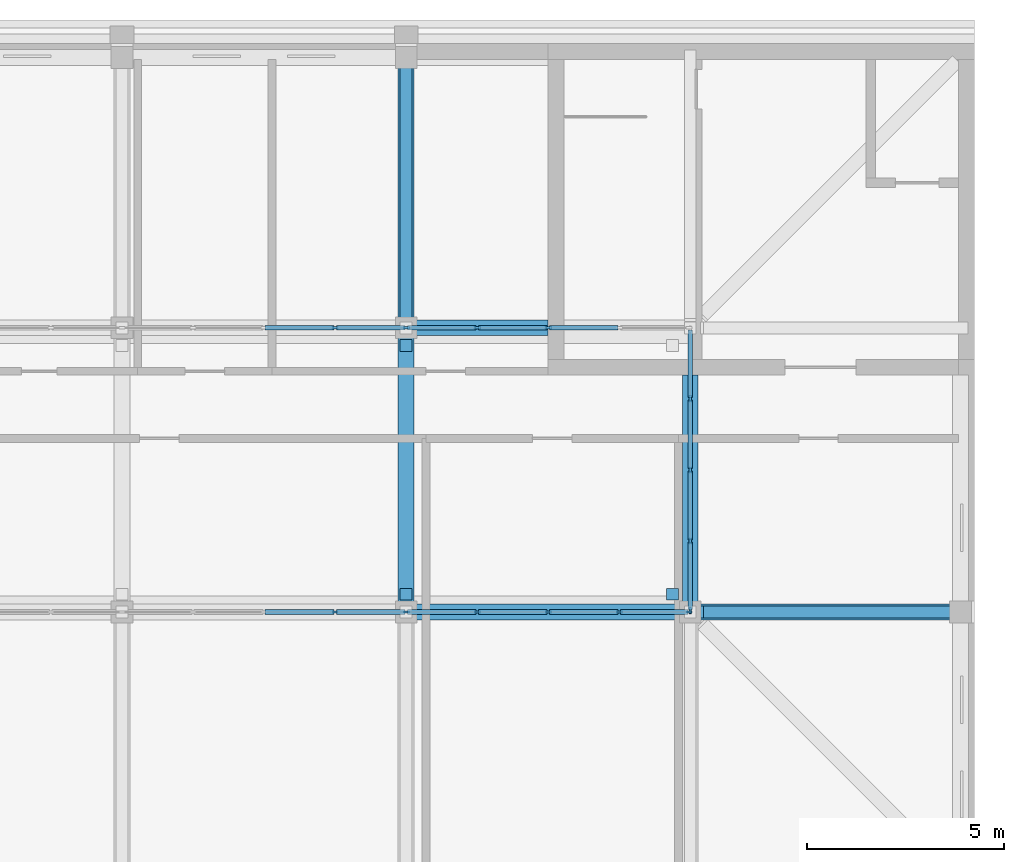
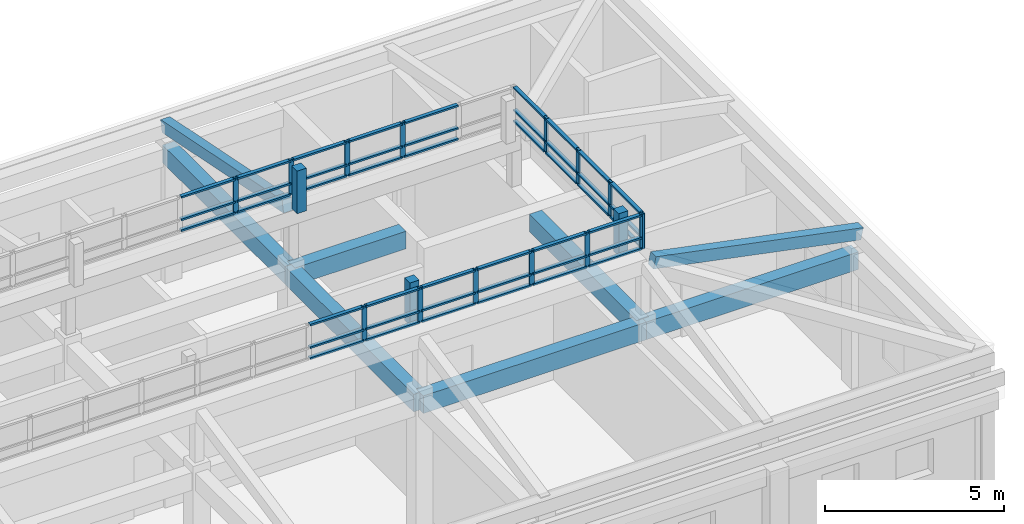
# One storey, part 22 of 48: 62 members, 8 beams, 3 elements without a shape of their own.
"""IFC4 building model written with IfcOpenShell, lengths in metres."""

from ifc_helpers import new_model, si_unit, direction, frame, origin, origin_2d, place, context, subcontext, project, spatial, rectangle, extrude, material, material_profile, profile_set, type_object, element, aggregate, save


model = new_model("IFC4")

# Units and contexts
model_context = context("Model", 3, precision=1e-05, world=origin(), true_north=direction((0.0, 1.0)))
body_context = subcontext(model_context, "Body", "Model", "MODEL_VIEW")
ifc_project = project(units=[si_unit("LENGTHUNIT", "METRE"), si_unit("AREAUNIT", "SQUARE_METRE"), si_unit("VOLUMEUNIT", "CUBIC_METRE"), si_unit("PLANEANGLEUNIT", "RADIAN"), si_unit("MASSUNIT", "GRAM", prefix="KILO")], contexts=[model_context])

# Site, building, storey
site_placement = place(None, origin())
site = spatial("IfcSite", under=ifc_project, at=site_placement, CompositionType="ELEMENT")
building_placement = place(site_placement, origin())
building = spatial("IfcBuilding", under=site, at=building_placement, Name="Alderwick Market Hall", CompositionType="ELEMENT")
storey_placement = place(building_placement, frame((0.0, 0.0, 14.39990234375)))
storey = spatial("IfcBuildingStorey", under=building, at=storey_placement, Name="L02", CompositionType="ELEMENT", Elevation=14.39990234375)

# Curtain wall, members
ifc_material_1 = material(Name="F Curtain Wall 1800 module")
curtain_wall_type = type_object("IfcCurtainWallType", Name="F Curtain Wall 1800 module", PredefinedType="NOTDEFINED", material=ifc_material_1)
curtain_wall_1_placement = place(storey_placement, origin())
curtain_wall_1 = element("IfcCurtainWall", 1, at=curtain_wall_1_placement, inside=storey, type_object=curtain_wall_type, Name="F.lantern.L02.s", PredefinedType="NOTDEFINED")
ifc_material_2 = material(Name="Aluminium alloy 6063-T6", Category="aluminium")
ifc_material_profile_1 = material_profile(ifc_material_2, rectangle(XDim=0.06005859375, YDim=0.159912109375, at=origin_2d()), Name="AL 60x160")
ifc_profile_set_1 = profile_set([ifc_material_profile_1], Name="Aluminium alloy 6063-T6")
member_type_1 = type_object("IfcMemberType", Name="F Curtain Wall Mullion 60x160", PredefinedType="MULLION", material=ifc_profile_set_1)
member_1_placement = place(storey_placement, frame((214.199951171875, 136.800048828125, 6.955078125), z_axis=(0.0, 0.0, 1.0), x_axis=(0.0, 1.0, 0.0)))
member_1 = element("IfcMember", 2, at=member_1_placement, type_object=member_type_1, Name="F-LCW mullion 28", PredefinedType="MULLION", context=body_context, shape_type="SweptSolid", body=[
    extrude(rectangle(XDim=0.06005859375, YDim=0.159912109375, at=origin_2d()), origin(), (0.0, 0.0, 1.0), 1.199951171875),
])
member_2_placement = place(storey_placement, frame((216.0, 136.800048828125, 6.955078125), z_axis=(0.0, 0.0, 1.0), x_axis=(0.0, 1.0, 0.0)))
member_2 = element("IfcMember", 3, at=member_2_placement, type_object=member_type_1, Name="F-LCW mullion 29", PredefinedType="MULLION", context=body_context, shape_type="SweptSolid", body=[
    extrude(rectangle(XDim=0.06005859375, YDim=0.159912109375, at=origin_2d()), origin(), (0.0, 0.0, 1.0), 1.199951171875),
])
member_3_placement = place(storey_placement, frame((217.800048828125, 136.800048828125, 6.955078125), z_axis=(0.0, 0.0, 1.0), x_axis=(0.0, 1.0, 0.0)))
member_3 = element("IfcMember", 4, at=member_3_placement, type_object=member_type_1, Name="F-LCW mullion 30", PredefinedType="MULLION", context=body_context, shape_type="SweptSolid", body=[
    extrude(rectangle(XDim=0.06005859375, YDim=0.159912109375, at=origin_2d()), origin(), (0.0, 0.0, 1.0), 1.199951171875),
])
member_4_placement = place(storey_placement, frame((219.60009765625, 136.800048828125, 6.955078125), z_axis=(0.0, 0.0, 1.0), x_axis=(0.0, 1.0, 0.0)))
member_4 = element("IfcMember", 5, at=member_4_placement, type_object=member_type_1, Name="F-LCW mullion 31", PredefinedType="MULLION", context=body_context, shape_type="SweptSolid", body=[
    extrude(rectangle(XDim=0.06005859375, YDim=0.159912109375, at=origin_2d()), origin(), (0.0, 0.0, 1.0), 1.199951171875),
])
member_5_placement = place(storey_placement, frame((221.39990234375, 136.800048828125, 6.955078125), z_axis=(0.0, 0.0, 1.0), x_axis=(0.0, 1.0, 0.0)))
member_5 = element("IfcMember", 6, at=member_5_placement, type_object=member_type_1, Name="F-LCW mullion 32", PredefinedType="MULLION", context=body_context, shape_type="SweptSolid", body=[
    extrude(rectangle(XDim=0.06005859375, YDim=0.159912109375, at=origin_2d()), origin(), (0.0, 0.0, 1.0), 1.199951171875),
])
member_6_placement = place(storey_placement, frame((223.169921875, 136.800048828125, 6.955078125), z_axis=(0.0, 0.0, 1.0), x_axis=(0.0, 1.0, 0.0)))
member_6 = element("IfcMember", 7, at=member_6_placement, type_object=member_type_1, Name="F-LCW mullion 33", PredefinedType="MULLION", context=body_context, shape_type="SweptSolid", body=[
    extrude(rectangle(XDim=0.06005859375, YDim=0.159912109375, at=origin_2d()), origin(), (0.0, 0.0, 1.0), 1.199951171875),
])

curtain_wall_2_placement = place(storey_placement, origin())
curtain_wall_2 = element("IfcCurtainWall", 8, at=curtain_wall_2_placement, inside=storey, type_object=curtain_wall_type, Name="F.lantern.L02.n", PredefinedType="NOTDEFINED")
member_7_placement = place(storey_placement, frame((214.199951171875, 144.0, 6.955078125), z_axis=(0.0, 0.0, 1.0), x_axis=(0.0, 1.0, 0.0)))
member_7 = element("IfcMember", 9, at=member_7_placement, type_object=member_type_1, Name="F-LCW mullion 28", PredefinedType="MULLION", context=body_context, shape_type="SweptSolid", body=[
    extrude(rectangle(XDim=0.06005859375, YDim=0.159912109375, at=origin_2d()), origin(), (0.0, 0.0, 1.0), 1.199951171875),
])
member_8_placement = place(storey_placement, frame((216.0, 144.0, 6.955078125), z_axis=(0.0, 0.0, 1.0), x_axis=(0.0, 1.0, 0.0)))
member_8 = element("IfcMember", 10, at=member_8_placement, type_object=member_type_1, Name="F-LCW mullion 29", PredefinedType="MULLION", context=body_context, shape_type="SweptSolid", body=[
    extrude(rectangle(XDim=0.06005859375, YDim=0.159912109375, at=origin_2d()), origin(), (0.0, 0.0, 1.0), 1.199951171875),
])
member_9_placement = place(storey_placement, frame((217.800048828125, 144.0, 6.955078125), z_axis=(0.0, 0.0, 1.0), x_axis=(0.0, 1.0, 0.0)))
member_9 = element("IfcMember", 11, at=member_9_placement, type_object=member_type_1, Name="F-LCW mullion 30", PredefinedType="MULLION", context=body_context, shape_type="SweptSolid", body=[
    extrude(rectangle(XDim=0.06005859375, YDim=0.159912109375, at=origin_2d()), origin(), (0.0, 0.0, 1.0), 1.199951171875),
])
member_10_placement = place(storey_placement, frame((219.60009765625, 144.0, 6.955078125), z_axis=(0.0, 0.0, 1.0), x_axis=(0.0, 1.0, 0.0)))
member_10 = element("IfcMember", 12, at=member_10_placement, type_object=member_type_1, Name="F-LCW mullion 31", PredefinedType="MULLION", context=body_context, shape_type="SweptSolid", body=[
    extrude(rectangle(XDim=0.06005859375, YDim=0.159912109375, at=origin_2d()), origin(), (0.0, 0.0, 1.0), 1.199951171875),
])

curtain_wall_3_placement = place(storey_placement, origin())
curtain_wall_3 = element("IfcCurtainWall", 13, at=curtain_wall_3_placement, inside=storey, type_object=curtain_wall_type, Name="F.lantern.L02.e", PredefinedType="NOTDEFINED")
member_11_placement = place(storey_placement, frame((223.199951171875, 136.830078125, 6.955078125), z_axis=(0.0, 0.0, 1.0), x_axis=(-1.0, 0.0, 0.0)))
member_11 = element("IfcMember", 14, at=member_11_placement, type_object=member_type_1, Name="F-LCW mullion 1", PredefinedType="MULLION", context=body_context, shape_type="SweptSolid", body=[
    extrude(rectangle(XDim=0.06005859375, YDim=0.159912109375, at=origin_2d()), origin(), (0.0, 0.0, 1.0), 1.199951171875),
])
member_12_placement = place(storey_placement, frame((223.199951171875, 138.60009765625, 6.955078125), z_axis=(0.0, 0.0, 1.0), x_axis=(-1.0, 0.0, 0.0)))
member_12 = element("IfcMember", 15, at=member_12_placement, type_object=member_type_1, Name="F-LCW mullion 2", PredefinedType="MULLION", context=body_context, shape_type="SweptSolid", body=[
    extrude(rectangle(XDim=0.06005859375, YDim=0.159912109375, at=origin_2d()), origin(), (0.0, 0.0, 1.0), 1.199951171875),
])
member_13_placement = place(storey_placement, frame((223.199951171875, 140.39990234375, 6.955078125), z_axis=(0.0, 0.0, 1.0), x_axis=(-1.0, 0.0, 0.0)))
member_13 = element("IfcMember", 16, at=member_13_placement, type_object=member_type_1, Name="F-LCW mullion 3", PredefinedType="MULLION", context=body_context, shape_type="SweptSolid", body=[
    extrude(rectangle(XDim=0.06005859375, YDim=0.159912109375, at=origin_2d()), origin(), (0.0, 0.0, 1.0), 1.199951171875),
])
member_14_placement = place(storey_placement, frame((223.199951171875, 142.199951171875, 6.955078125), z_axis=(0.0, 0.0, 1.0), x_axis=(-1.0, 0.0, 0.0)))
member_14 = element("IfcMember", 17, at=member_14_placement, type_object=member_type_1, Name="F-LCW mullion 4", PredefinedType="MULLION", context=body_context, shape_type="SweptSolid", body=[
    extrude(rectangle(XDim=0.06005859375, YDim=0.159912109375, at=origin_2d()), origin(), (0.0, 0.0, 1.0), 1.199951171875),
])

# Member
ifc_material_profile_2 = material_profile(ifc_material_2, rectangle(XDim=0.1201171875, YDim=0.06005859375, at=origin_2d()), Name="AL 60x120")
ifc_profile_set_2 = profile_set([ifc_material_profile_2], Name="Aluminium alloy 6063-T6")
member_type_2 = type_object("IfcMemberType", Name="F Curtain Wall Transom 60x120", PredefinedType="USERDEFINED", material=ifc_profile_set_2)
member_15_placement = place(storey_placement, frame((212.429931640625, 136.800048828125, 6.985107421875), z_axis=(1.0, 0.0, 0.0), x_axis=(0.0, 1.0, 0.0)))
member_15 = element("IfcMember", 18, at=member_15_placement, type_object=member_type_2, Name="F-LCW transom 27.1", ObjectType="TRANSOM", PredefinedType="USERDEFINED", context=body_context, shape_type="SweptSolid", body=[
    extrude(rectangle(XDim=0.1201171875, YDim=0.06005859375, at=origin_2d()), origin(), (0.0, 0.0, 1.0), 1.739990234375),
])

member_16_placement = place(storey_placement, frame((212.429931640625, 136.800048828125, 7.35498046875), z_axis=(1.0, 0.0, 0.0), x_axis=(0.0, 1.0, 0.0)))
member_16 = element("IfcMember", 19, at=member_16_placement, type_object=member_type_2, Name="F-LCW transom 27.2", ObjectType="TRANSOM", PredefinedType="USERDEFINED", context=body_context, shape_type="SweptSolid", body=[
    extrude(rectangle(XDim=0.1201171875, YDim=0.06005859375, at=origin_2d()), origin(), (0.0, 0.0, 1.0), 1.739990234375),
])

member_17_placement = place(storey_placement, frame((212.429931640625, 136.800048828125, 8.125), z_axis=(1.0, 0.0, 0.0), x_axis=(0.0, 1.0, 0.0)))
member_17 = element("IfcMember", 20, at=member_17_placement, type_object=member_type_2, Name="F-LCW transom 27.3", ObjectType="TRANSOM", PredefinedType="USERDEFINED", context=body_context, shape_type="SweptSolid", body=[
    extrude(rectangle(XDim=0.1201171875, YDim=0.06005859375, at=origin_2d()), origin(), (0.0, 0.0, 1.0), 1.739990234375),
])

member_18_placement = place(storey_placement, frame((214.22998046875, 136.800048828125, 6.985107421875), z_axis=(1.0, 0.0, 0.0), x_axis=(0.0, 1.0, 0.0)))
member_18 = element("IfcMember", 21, at=member_18_placement, type_object=member_type_2, Name="F-LCW transom 28.1", ObjectType="TRANSOM", PredefinedType="USERDEFINED", context=body_context, shape_type="SweptSolid", body=[
    extrude(rectangle(XDim=0.1201171875, YDim=0.06005859375, at=origin_2d()), origin(), (0.0, 0.0, 1.0), 1.739990234375),
])

member_19_placement = place(storey_placement, frame((214.22998046875, 136.800048828125, 7.35498046875), z_axis=(1.0, 0.0, 0.0), x_axis=(0.0, 1.0, 0.0)))
member_19 = element("IfcMember", 22, at=member_19_placement, type_object=member_type_2, Name="F-LCW transom 28.2", ObjectType="TRANSOM", PredefinedType="USERDEFINED", context=body_context, shape_type="SweptSolid", body=[
    extrude(rectangle(XDim=0.1201171875, YDim=0.06005859375, at=origin_2d()), origin(), (0.0, 0.0, 1.0), 1.739990234375),
])

member_20_placement = place(storey_placement, frame((214.22998046875, 136.800048828125, 8.125), z_axis=(1.0, 0.0, 0.0), x_axis=(0.0, 1.0, 0.0)))
member_20 = element("IfcMember", 23, at=member_20_placement, type_object=member_type_2, Name="F-LCW transom 28.3", ObjectType="TRANSOM", PredefinedType="USERDEFINED", context=body_context, shape_type="SweptSolid", body=[
    extrude(rectangle(XDim=0.1201171875, YDim=0.06005859375, at=origin_2d()), origin(), (0.0, 0.0, 1.0), 1.739990234375),
])

member_21_placement = place(storey_placement, frame((216.030029296875, 136.800048828125, 6.985107421875), z_axis=(1.0, 0.0, 0.0), x_axis=(0.0, 1.0, 0.0)))
member_21 = element("IfcMember", 24, at=member_21_placement, type_object=member_type_2, Name="F-LCW transom 29.1", ObjectType="TRANSOM", PredefinedType="USERDEFINED", context=body_context, shape_type="SweptSolid", body=[
    extrude(rectangle(XDim=0.1201171875, YDim=0.06005859375, at=origin_2d()), origin(), (0.0, 0.0, 1.0), 1.739990234375),
])

member_22_placement = place(storey_placement, frame((216.030029296875, 136.800048828125, 7.35498046875), z_axis=(1.0, 0.0, 0.0), x_axis=(0.0, 1.0, 0.0)))
member_22 = element("IfcMember", 25, at=member_22_placement, type_object=member_type_2, Name="F-LCW transom 29.2", ObjectType="TRANSOM", PredefinedType="USERDEFINED", context=body_context, shape_type="SweptSolid", body=[
    extrude(rectangle(XDim=0.1201171875, YDim=0.06005859375, at=origin_2d()), origin(), (0.0, 0.0, 1.0), 1.739990234375),
])

member_23_placement = place(storey_placement, frame((216.030029296875, 136.800048828125, 8.125), z_axis=(1.0, 0.0, 0.0), x_axis=(0.0, 1.0, 0.0)))
member_23 = element("IfcMember", 26, at=member_23_placement, type_object=member_type_2, Name="F-LCW transom 29.3", ObjectType="TRANSOM", PredefinedType="USERDEFINED", context=body_context, shape_type="SweptSolid", body=[
    extrude(rectangle(XDim=0.1201171875, YDim=0.06005859375, at=origin_2d()), origin(), (0.0, 0.0, 1.0), 1.739990234375),
])

member_24_placement = place(storey_placement, frame((217.830078125, 136.800048828125, 6.985107421875), z_axis=(1.0, 0.0, 0.0), x_axis=(0.0, 1.0, 0.0)))
member_24 = element("IfcMember", 27, at=member_24_placement, type_object=member_type_2, Name="F-LCW transom 30.1", ObjectType="TRANSOM", PredefinedType="USERDEFINED", context=body_context, shape_type="SweptSolid", body=[
    extrude(rectangle(XDim=0.1201171875, YDim=0.06005859375, at=origin_2d()), origin(), (0.0, 0.0, 1.0), 1.739990234375),
])

member_25_placement = place(storey_placement, frame((217.830078125, 136.800048828125, 7.35498046875), z_axis=(1.0, 0.0, 0.0), x_axis=(0.0, 1.0, 0.0)))
member_25 = element("IfcMember", 28, at=member_25_placement, type_object=member_type_2, Name="F-LCW transom 30.2", ObjectType="TRANSOM", PredefinedType="USERDEFINED", context=body_context, shape_type="SweptSolid", body=[
    extrude(rectangle(XDim=0.1201171875, YDim=0.06005859375, at=origin_2d()), origin(), (0.0, 0.0, 1.0), 1.739990234375),
])

member_26_placement = place(storey_placement, frame((217.830078125, 136.800048828125, 8.125), z_axis=(1.0, 0.0, 0.0), x_axis=(0.0, 1.0, 0.0)))
member_26 = element("IfcMember", 29, at=member_26_placement, type_object=member_type_2, Name="F-LCW transom 30.3", ObjectType="TRANSOM", PredefinedType="USERDEFINED", context=body_context, shape_type="SweptSolid", body=[
    extrude(rectangle(XDim=0.1201171875, YDim=0.06005859375, at=origin_2d()), origin(), (0.0, 0.0, 1.0), 1.739990234375),
])

member_27_placement = place(storey_placement, frame((219.6298828125, 136.800048828125, 6.985107421875), z_axis=(1.0, 0.0, 0.0), x_axis=(0.0, 1.0, 0.0)))
member_27 = element("IfcMember", 30, at=member_27_placement, type_object=member_type_2, Name="F-LCW transom 31.1", ObjectType="TRANSOM", PredefinedType="USERDEFINED", context=body_context, shape_type="SweptSolid", body=[
    extrude(rectangle(XDim=0.1201171875, YDim=0.06005859375, at=origin_2d()), origin(), (0.0, 0.0, 1.0), 1.740234375),
])

member_28_placement = place(storey_placement, frame((219.6298828125, 136.800048828125, 7.35498046875), z_axis=(1.0, 0.0, 0.0), x_axis=(0.0, 1.0, 0.0)))
member_28 = element("IfcMember", 31, at=member_28_placement, type_object=member_type_2, Name="F-LCW transom 31.2", ObjectType="TRANSOM", PredefinedType="USERDEFINED", context=body_context, shape_type="SweptSolid", body=[
    extrude(rectangle(XDim=0.1201171875, YDim=0.06005859375, at=origin_2d()), origin(), (0.0, 0.0, 1.0), 1.740234375),
])

member_29_placement = place(storey_placement, frame((219.6298828125, 136.800048828125, 8.125), z_axis=(1.0, 0.0, 0.0), x_axis=(0.0, 1.0, 0.0)))
member_29 = element("IfcMember", 32, at=member_29_placement, type_object=member_type_2, Name="F-LCW transom 31.3", ObjectType="TRANSOM", PredefinedType="USERDEFINED", context=body_context, shape_type="SweptSolid", body=[
    extrude(rectangle(XDim=0.1201171875, YDim=0.06005859375, at=origin_2d()), origin(), (0.0, 0.0, 1.0), 1.740234375),
])

member_30_placement = place(storey_placement, frame((221.429931640625, 136.800048828125, 6.985107421875), z_axis=(1.0, 0.0, 0.0), x_axis=(0.0, 1.0, 0.0)))
member_30 = element("IfcMember", 33, at=member_30_placement, type_object=member_type_2, Name="F-LCW transom 32.1", ObjectType="TRANSOM", PredefinedType="USERDEFINED", context=body_context, shape_type="SweptSolid", body=[
    extrude(rectangle(XDim=0.1201171875, YDim=0.06005859375, at=origin_2d()), origin(), (0.0, 0.0, 1.0), 1.7099609375),
])

member_31_placement = place(storey_placement, frame((221.429931640625, 136.800048828125, 7.35498046875), z_axis=(1.0, 0.0, 0.0), x_axis=(0.0, 1.0, 0.0)))
member_31 = element("IfcMember", 34, at=member_31_placement, type_object=member_type_2, Name="F-LCW transom 32.2", ObjectType="TRANSOM", PredefinedType="USERDEFINED", context=body_context, shape_type="SweptSolid", body=[
    extrude(rectangle(XDim=0.1201171875, YDim=0.06005859375, at=origin_2d()), origin(), (0.0, 0.0, 1.0), 1.7099609375),
])

member_32_placement = place(storey_placement, frame((221.429931640625, 136.800048828125, 8.125), z_axis=(1.0, 0.0, 0.0), x_axis=(0.0, 1.0, 0.0)))
member_32 = element("IfcMember", 35, at=member_32_placement, type_object=member_type_2, Name="F-LCW transom 32.3", ObjectType="TRANSOM", PredefinedType="USERDEFINED", context=body_context, shape_type="SweptSolid", body=[
    extrude(rectangle(XDim=0.1201171875, YDim=0.06005859375, at=origin_2d()), origin(), (0.0, 0.0, 1.0), 1.7099609375),
])

aggregate(curtain_wall_1, [member_1, member_2, member_3, member_4, member_5, member_6, member_15, member_16, member_17, member_18, member_19, member_20, member_21, member_22, member_23, member_24, member_25, member_26, member_27, member_28, member_29, member_30, member_31, member_32])

member_33_placement = place(storey_placement, frame((212.429931640625, 144.0, 6.985107421875), z_axis=(1.0, 0.0, 0.0), x_axis=(0.0, 1.0, 0.0)))
member_33 = element("IfcMember", 36, at=member_33_placement, type_object=member_type_2, Name="F-LCW transom 27.1", ObjectType="TRANSOM", PredefinedType="USERDEFINED", context=body_context, shape_type="SweptSolid", body=[
    extrude(rectangle(XDim=0.1201171875, YDim=0.06005859375, at=origin_2d()), origin(), (0.0, 0.0, 1.0), 1.739990234375),
])

member_34_placement = place(storey_placement, frame((212.429931640625, 144.0, 7.35498046875), z_axis=(1.0, 0.0, 0.0), x_axis=(0.0, 1.0, 0.0)))
member_34 = element("IfcMember", 37, at=member_34_placement, type_object=member_type_2, Name="F-LCW transom 27.2", ObjectType="TRANSOM", PredefinedType="USERDEFINED", context=body_context, shape_type="SweptSolid", body=[
    extrude(rectangle(XDim=0.1201171875, YDim=0.06005859375, at=origin_2d()), origin(), (0.0, 0.0, 1.0), 1.739990234375),
])

member_35_placement = place(storey_placement, frame((212.429931640625, 144.0, 8.125), z_axis=(1.0, 0.0, 0.0), x_axis=(0.0, 1.0, 0.0)))
member_35 = element("IfcMember", 38, at=member_35_placement, type_object=member_type_2, Name="F-LCW transom 27.3", ObjectType="TRANSOM", PredefinedType="USERDEFINED", context=body_context, shape_type="SweptSolid", body=[
    extrude(rectangle(XDim=0.1201171875, YDim=0.06005859375, at=origin_2d()), origin(), (0.0, 0.0, 1.0), 1.739990234375),
])

member_36_placement = place(storey_placement, frame((214.22998046875, 144.0, 6.985107421875), z_axis=(1.0, 0.0, 0.0), x_axis=(0.0, 1.0, 0.0)))
member_36 = element("IfcMember", 39, at=member_36_placement, type_object=member_type_2, Name="F-LCW transom 28.1", ObjectType="TRANSOM", PredefinedType="USERDEFINED", context=body_context, shape_type="SweptSolid", body=[
    extrude(rectangle(XDim=0.1201171875, YDim=0.06005859375, at=origin_2d()), origin(), (0.0, 0.0, 1.0), 1.739990234375),
])

member_37_placement = place(storey_placement, frame((214.22998046875, 144.0, 7.35498046875), z_axis=(1.0, 0.0, 0.0), x_axis=(0.0, 1.0, 0.0)))
member_37 = element("IfcMember", 40, at=member_37_placement, type_object=member_type_2, Name="F-LCW transom 28.2", ObjectType="TRANSOM", PredefinedType="USERDEFINED", context=body_context, shape_type="SweptSolid", body=[
    extrude(rectangle(XDim=0.1201171875, YDim=0.06005859375, at=origin_2d()), origin(), (0.0, 0.0, 1.0), 1.739990234375),
])

member_38_placement = place(storey_placement, frame((214.22998046875, 144.0, 8.125), z_axis=(1.0, 0.0, 0.0), x_axis=(0.0, 1.0, 0.0)))
member_38 = element("IfcMember", 41, at=member_38_placement, type_object=member_type_2, Name="F-LCW transom 28.3", ObjectType="TRANSOM", PredefinedType="USERDEFINED", context=body_context, shape_type="SweptSolid", body=[
    extrude(rectangle(XDim=0.1201171875, YDim=0.06005859375, at=origin_2d()), origin(), (0.0, 0.0, 1.0), 1.739990234375),
])

member_39_placement = place(storey_placement, frame((216.030029296875, 144.0, 6.985107421875), z_axis=(1.0, 0.0, 0.0), x_axis=(0.0, 1.0, 0.0)))
member_39 = element("IfcMember", 42, at=member_39_placement, type_object=member_type_2, Name="F-LCW transom 29.1", ObjectType="TRANSOM", PredefinedType="USERDEFINED", context=body_context, shape_type="SweptSolid", body=[
    extrude(rectangle(XDim=0.1201171875, YDim=0.06005859375, at=origin_2d()), origin(), (0.0, 0.0, 1.0), 1.739990234375),
])

member_40_placement = place(storey_placement, frame((216.030029296875, 144.0, 7.35498046875), z_axis=(1.0, 0.0, 0.0), x_axis=(0.0, 1.0, 0.0)))
member_40 = element("IfcMember", 43, at=member_40_placement, type_object=member_type_2, Name="F-LCW transom 29.2", ObjectType="TRANSOM", PredefinedType="USERDEFINED", context=body_context, shape_type="SweptSolid", body=[
    extrude(rectangle(XDim=0.1201171875, YDim=0.06005859375, at=origin_2d()), origin(), (0.0, 0.0, 1.0), 1.739990234375),
])

member_41_placement = place(storey_placement, frame((216.030029296875, 144.0, 8.125), z_axis=(1.0, 0.0, 0.0), x_axis=(0.0, 1.0, 0.0)))
member_41 = element("IfcMember", 44, at=member_41_placement, type_object=member_type_2, Name="F-LCW transom 29.3", ObjectType="TRANSOM", PredefinedType="USERDEFINED", context=body_context, shape_type="SweptSolid", body=[
    extrude(rectangle(XDim=0.1201171875, YDim=0.06005859375, at=origin_2d()), origin(), (0.0, 0.0, 1.0), 1.739990234375),
])

member_42_placement = place(storey_placement, frame((217.830078125, 144.0, 6.985107421875), z_axis=(1.0, 0.0, 0.0), x_axis=(0.0, 1.0, 0.0)))
member_42 = element("IfcMember", 45, at=member_42_placement, type_object=member_type_2, Name="F-LCW transom 30.1", ObjectType="TRANSOM", PredefinedType="USERDEFINED", context=body_context, shape_type="SweptSolid", body=[
    extrude(rectangle(XDim=0.1201171875, YDim=0.06005859375, at=origin_2d()), origin(), (0.0, 0.0, 1.0), 1.739990234375),
])

member_43_placement = place(storey_placement, frame((217.830078125, 144.0, 7.35498046875), z_axis=(1.0, 0.0, 0.0), x_axis=(0.0, 1.0, 0.0)))
member_43 = element("IfcMember", 46, at=member_43_placement, type_object=member_type_2, Name="F-LCW transom 30.2", ObjectType="TRANSOM", PredefinedType="USERDEFINED", context=body_context, shape_type="SweptSolid", body=[
    extrude(rectangle(XDim=0.1201171875, YDim=0.06005859375, at=origin_2d()), origin(), (0.0, 0.0, 1.0), 1.739990234375),
])

member_44_placement = place(storey_placement, frame((217.830078125, 144.0, 8.125), z_axis=(1.0, 0.0, 0.0), x_axis=(0.0, 1.0, 0.0)))
member_44 = element("IfcMember", 47, at=member_44_placement, type_object=member_type_2, Name="F-LCW transom 30.3", ObjectType="TRANSOM", PredefinedType="USERDEFINED", context=body_context, shape_type="SweptSolid", body=[
    extrude(rectangle(XDim=0.1201171875, YDim=0.06005859375, at=origin_2d()), origin(), (0.0, 0.0, 1.0), 1.739990234375),
])

member_45_placement = place(storey_placement, frame((219.6298828125, 144.0, 6.985107421875), z_axis=(1.0, 0.0, 0.0), x_axis=(0.0, 1.0, 0.0)))
member_45 = element("IfcMember", 48, at=member_45_placement, type_object=member_type_2, Name="F-LCW transom 31.1", ObjectType="TRANSOM", PredefinedType="USERDEFINED", context=body_context, shape_type="SweptSolid", body=[
    extrude(rectangle(XDim=0.1201171875, YDim=0.06005859375, at=origin_2d()), origin(), (0.0, 0.0, 1.0), 1.740234375),
])

member_46_placement = place(storey_placement, frame((219.6298828125, 144.0, 7.35498046875), z_axis=(1.0, 0.0, 0.0), x_axis=(0.0, 1.0, 0.0)))
member_46 = element("IfcMember", 49, at=member_46_placement, type_object=member_type_2, Name="F-LCW transom 31.2", ObjectType="TRANSOM", PredefinedType="USERDEFINED", context=body_context, shape_type="SweptSolid", body=[
    extrude(rectangle(XDim=0.1201171875, YDim=0.06005859375, at=origin_2d()), origin(), (0.0, 0.0, 1.0), 1.740234375),
])

member_47_placement = place(storey_placement, frame((219.6298828125, 144.0, 8.125), z_axis=(1.0, 0.0, 0.0), x_axis=(0.0, 1.0, 0.0)))
member_47 = element("IfcMember", 50, at=member_47_placement, type_object=member_type_2, Name="F-LCW transom 31.3", ObjectType="TRANSOM", PredefinedType="USERDEFINED", context=body_context, shape_type="SweptSolid", body=[
    extrude(rectangle(XDim=0.1201171875, YDim=0.06005859375, at=origin_2d()), origin(), (0.0, 0.0, 1.0), 1.740234375),
])

aggregate(curtain_wall_2, [member_7, member_8, member_9, member_10, member_33, member_34, member_35, member_36, member_37, member_38, member_39, member_40, member_41, member_42, member_43, member_44, member_45, member_46, member_47])

member_48_placement = place(storey_placement, frame((223.199951171875, 136.860107421875, 6.985107421875), z_axis=(0.0, 1.0, 0.0), x_axis=(-1.0, 0.0, 0.0)))
member_48 = element("IfcMember", 51, at=member_48_placement, type_object=member_type_2, Name="F-LCW transom 1.1", ObjectType="TRANSOM", PredefinedType="USERDEFINED", context=body_context, shape_type="SweptSolid", body=[
    extrude(rectangle(XDim=0.1201171875, YDim=0.06005859375, at=origin_2d()), origin(), (0.0, 0.0, 1.0), 1.7099609375),
])

member_49_placement = place(storey_placement, frame((223.199951171875, 136.860107421875, 7.35498046875), z_axis=(0.0, 1.0, 0.0), x_axis=(-1.0, 0.0, 0.0)))
member_49 = element("IfcMember", 52, at=member_49_placement, type_object=member_type_2, Name="F-LCW transom 1.2", ObjectType="TRANSOM", PredefinedType="USERDEFINED", context=body_context, shape_type="SweptSolid", body=[
    extrude(rectangle(XDim=0.1201171875, YDim=0.06005859375, at=origin_2d()), origin(), (0.0, 0.0, 1.0), 1.7099609375),
])

member_50_placement = place(storey_placement, frame((223.199951171875, 136.860107421875, 8.125), z_axis=(0.0, 1.0, 0.0), x_axis=(-1.0, 0.0, 0.0)))
member_50 = element("IfcMember", 53, at=member_50_placement, type_object=member_type_2, Name="F-LCW transom 1.3", ObjectType="TRANSOM", PredefinedType="USERDEFINED", context=body_context, shape_type="SweptSolid", body=[
    extrude(rectangle(XDim=0.1201171875, YDim=0.06005859375, at=origin_2d()), origin(), (0.0, 0.0, 1.0), 1.7099609375),
])

member_51_placement = place(storey_placement, frame((223.199951171875, 138.6298828125, 6.985107421875), z_axis=(0.0, 1.0, 0.0), x_axis=(-1.0, 0.0, 0.0)))
member_51 = element("IfcMember", 54, at=member_51_placement, type_object=member_type_2, Name="F-LCW transom 2.1", ObjectType="TRANSOM", PredefinedType="USERDEFINED", context=body_context, shape_type="SweptSolid", body=[
    extrude(rectangle(XDim=0.1201171875, YDim=0.06005859375, at=origin_2d()), origin(), (0.0, 0.0, 1.0), 1.740234375),
])

member_52_placement = place(storey_placement, frame((223.199951171875, 138.6298828125, 7.35498046875), z_axis=(0.0, 1.0, 0.0), x_axis=(-1.0, 0.0, 0.0)))
member_52 = element("IfcMember", 55, at=member_52_placement, type_object=member_type_2, Name="F-LCW transom 2.2", ObjectType="TRANSOM", PredefinedType="USERDEFINED", context=body_context, shape_type="SweptSolid", body=[
    extrude(rectangle(XDim=0.1201171875, YDim=0.06005859375, at=origin_2d()), origin(), (0.0, 0.0, 1.0), 1.740234375),
])

member_53_placement = place(storey_placement, frame((223.199951171875, 138.6298828125, 8.125), z_axis=(0.0, 1.0, 0.0), x_axis=(-1.0, 0.0, 0.0)))
member_53 = element("IfcMember", 56, at=member_53_placement, type_object=member_type_2, Name="F-LCW transom 2.3", ObjectType="TRANSOM", PredefinedType="USERDEFINED", context=body_context, shape_type="SweptSolid", body=[
    extrude(rectangle(XDim=0.1201171875, YDim=0.06005859375, at=origin_2d()), origin(), (0.0, 0.0, 1.0), 1.740234375),
])

member_54_placement = place(storey_placement, frame((223.199951171875, 140.429931640625, 6.985107421875), z_axis=(0.0, 1.0, 0.0), x_axis=(-1.0, 0.0, 0.0)))
member_54 = element("IfcMember", 57, at=member_54_placement, type_object=member_type_2, Name="F-LCW transom 3.1", ObjectType="TRANSOM", PredefinedType="USERDEFINED", context=body_context, shape_type="SweptSolid", body=[
    extrude(rectangle(XDim=0.1201171875, YDim=0.06005859375, at=origin_2d()), origin(), (0.0, 0.0, 1.0), 1.739990234375),
])

member_55_placement = place(storey_placement, frame((223.199951171875, 140.429931640625, 7.35498046875), z_axis=(0.0, 1.0, 0.0), x_axis=(-1.0, 0.0, 0.0)))
member_55 = element("IfcMember", 58, at=member_55_placement, type_object=member_type_2, Name="F-LCW transom 3.2", ObjectType="TRANSOM", PredefinedType="USERDEFINED", context=body_context, shape_type="SweptSolid", body=[
    extrude(rectangle(XDim=0.1201171875, YDim=0.06005859375, at=origin_2d()), origin(), (0.0, 0.0, 1.0), 1.739990234375),
])

member_56_placement = place(storey_placement, frame((223.199951171875, 140.429931640625, 8.125), z_axis=(0.0, 1.0, 0.0), x_axis=(-1.0, 0.0, 0.0)))
member_56 = element("IfcMember", 59, at=member_56_placement, type_object=member_type_2, Name="F-LCW transom 3.3", ObjectType="TRANSOM", PredefinedType="USERDEFINED", context=body_context, shape_type="SweptSolid", body=[
    extrude(rectangle(XDim=0.1201171875, YDim=0.06005859375, at=origin_2d()), origin(), (0.0, 0.0, 1.0), 1.739990234375),
])

member_57_placement = place(storey_placement, frame((223.199951171875, 142.22998046875, 6.985107421875), z_axis=(0.0, 1.0, 0.0), x_axis=(-1.0, 0.0, 0.0)))
member_57 = element("IfcMember", 60, at=member_57_placement, type_object=member_type_2, Name="F-LCW transom 4.1", ObjectType="TRANSOM", PredefinedType="USERDEFINED", context=body_context, shape_type="SweptSolid", body=[
    extrude(rectangle(XDim=0.1201171875, YDim=0.06005859375, at=origin_2d()), origin(), (0.0, 0.0, 1.0), 1.7099609375),
])

member_58_placement = place(storey_placement, frame((223.199951171875, 142.22998046875, 7.35498046875), z_axis=(0.0, 1.0, 0.0), x_axis=(-1.0, 0.0, 0.0)))
member_58 = element("IfcMember", 61, at=member_58_placement, type_object=member_type_2, Name="F-LCW transom 4.2", ObjectType="TRANSOM", PredefinedType="USERDEFINED", context=body_context, shape_type="SweptSolid", body=[
    extrude(rectangle(XDim=0.1201171875, YDim=0.06005859375, at=origin_2d()), origin(), (0.0, 0.0, 1.0), 1.7099609375),
])

member_59_placement = place(storey_placement, frame((223.199951171875, 142.22998046875, 8.125), z_axis=(0.0, 1.0, 0.0), x_axis=(-1.0, 0.0, 0.0)))
member_59 = element("IfcMember", 62, at=member_59_placement, type_object=member_type_2, Name="F-LCW transom 4.3", ObjectType="TRANSOM", PredefinedType="USERDEFINED", context=body_context, shape_type="SweptSolid", body=[
    extrude(rectangle(XDim=0.1201171875, YDim=0.06005859375, at=origin_2d()), origin(), (0.0, 0.0, 1.0), 1.7099609375),
])

aggregate(curtain_wall_3, [member_11, member_12, member_13, member_14, member_48, member_49, member_50, member_51, member_52, member_53, member_54, member_55, member_56, member_57, member_58, member_59])

# Beams
ifc_material_3 = material(Name="Concrete 5000 psi (f'c 35 MPa)", Category="concrete")
ifc_material_profile_3 = material_profile(ifc_material_3, rectangle(XDim=0.39990234375, YDim=0.60009765625, at=origin_2d()), Name="RC 400x600")
ifc_profile_set_3 = profile_set([ifc_material_profile_3], Name="Concrete 5000 psi (f'c 35 MPa)")
beam_type_1 = type_object("IfcBeamType", Name="F Floor Beam RC 400x600", PredefinedType="BEAM", material=ifc_profile_set_3)
beam_1_placement = place(storey_placement, frame((216.0, 136.800048828125, 4.25), z_axis=(1.0, 0.0, 0.0), x_axis=(0.0, 1.0, 0.0)))
element("IfcBeam", 63, at=beam_1_placement, inside=storey, type_object=beam_type_1, Name="F.beam.L02.019", PredefinedType="BEAM", context=body_context, shape_type="SweptSolid", body=[
    extrude(rectangle(XDim=0.39990234375, YDim=0.60009765625, at=origin_2d()), origin(), (0.0, 0.0, 1.0), 7.199951171875),
])
beam_2_placement = place(storey_placement, frame((223.199951171875, 136.800048828125, 4.25), z_axis=(1.0, 0.0, 0.0), x_axis=(0.0, 1.0, 0.0)))
element("IfcBeam", 64, at=beam_2_placement, inside=storey, type_object=beam_type_1, Name="F.beam.L02.020", PredefinedType="BEAM", context=body_context, shape_type="SweptSolid", body=[
    extrude(rectangle(XDim=0.39990234375, YDim=0.60009765625, at=origin_2d()), origin(), (0.0, 0.0, 1.0), 6.85009765625),
])
beam_3_placement = place(storey_placement, frame((216.0, 144.0, 4.25), z_axis=(1.0, 0.0, 0.0), x_axis=(0.0, 1.0, 0.0)))
element("IfcBeam", 65, at=beam_3_placement, inside=storey, type_object=beam_type_1, Name="F.beam.L02.028", PredefinedType="BEAM", context=body_context, shape_type="SweptSolid", body=[
    extrude(rectangle(XDim=0.39990234375, YDim=0.60009765625, at=origin_2d()), origin(), (0.0, 0.0, 1.0), 3.60107421875),
])
beam_4_placement = place(storey_placement, frame((216.0, 136.800048828125, 4.25), z_axis=(0.0, 1.0, 0.0), x_axis=(-1.0, 0.0, 0.0)))
element("IfcBeam", 66, at=beam_4_placement, inside=storey, type_object=beam_type_1, Name="F.beam.L02.059", PredefinedType="BEAM", context=body_context, shape_type="SweptSolid", body=[
    extrude(rectangle(XDim=0.39990234375, YDim=0.60009765625, at=origin_2d()), origin(), (0.0, 0.0, 1.0), 7.199951171875),
])
beam_5_placement = place(storey_placement, frame((216.0, 144.0, 4.25), z_axis=(0.0, 1.0, 0.0), x_axis=(-1.0, 0.0, 0.0)))
element("IfcBeam", 67, at=beam_5_placement, inside=storey, type_object=beam_type_1, Name="F.beam.L02.060", PredefinedType="BEAM", context=body_context, shape_type="SweptSolid", body=[
    extrude(rectangle(XDim=0.39990234375, YDim=0.60009765625, at=origin_2d()), origin(), (0.0, 0.0, 1.0), 6.85009765625),
])
beam_6_placement = place(storey_placement, frame((223.199951171875, 136.800048828125, 4.25), z_axis=(0.0, 1.0, 0.0), x_axis=(-1.0, 0.0, 0.0)))
element("IfcBeam", 68, at=beam_6_placement, inside=storey, type_object=beam_type_1, Name="F.beam.L02.062", PredefinedType="BEAM", context=body_context, shape_type="SweptSolid", body=[
    extrude(rectangle(XDim=0.39990234375, YDim=0.60009765625, at=origin_2d()), origin(), (0.0, 0.0, 1.0), 6.0009765625),
])

# Members
ifc_material_profile_4 = material_profile(ifc_material_3, rectangle(XDim=0.300048828125, YDim=0.300048828125, at=origin_2d()), Name="RC 300x300")
ifc_profile_set_4 = profile_set([ifc_material_profile_4], Name="Concrete 5000 psi (f'c 35 MPa)")
member_type_3 = type_object("IfcMemberType", Name="F Lantern Post RC 300x300", PredefinedType="POST", material=ifc_profile_set_4)
for number, where, z_axis, x_axis, name in (
    (69, (216.0, 137.25, 6.7001953125), (0.0, 0.0, 1.0), (1.0, 0.0, 0.0), "F.lanternpost.L02.08"),
    (70, (222.75, 137.25, 6.7001953125), (0.0, 0.0, 1.0), (1.0, 0.0, 0.0), "F.lanternpost.L02.09"),
    (71, (216.0, 143.550048828125, 6.7001953125), (0.0, 0.0, 1.0), (1.0, 0.0, 0.0), "F.lanternpost.L02.17"),
):
    element("IfcMember", number, at=place(storey_placement, frame(where, z_axis=z_axis, x_axis=x_axis)), inside=storey, type_object=member_type_3, Name=name, PredefinedType="POST", context=body_context, shape_type="SweptSolid", body=[
        extrude(rectangle(XDim=0.300048828125, YDim=0.300048828125, at=origin_2d()), origin(), (0.0, 0.0, 1.0), 1.454833984375),
    ])

# Beams
ifc_material_profile_5 = material_profile(ifc_material_3, rectangle(XDim=0.300048828125, YDim=0.39990234375, at=origin_2d()), Name="RC 300x400")
ifc_profile_set_5 = profile_set([ifc_material_profile_5], Name="Concrete 5000 psi (f'c 35 MPa)")
beam_type_2 = type_object("IfcBeamType", Name="F Rafter RC 300x400", PredefinedType="BEAM", material=ifc_profile_set_5)
beam_7_placement = place(storey_placement, frame((216.0, 151.0, 5.08642578125), z_axis=(0.0, -0.980319904111, 0.197415515103), x_axis=(1.0, 0.0, 0.0)))
element("IfcBeam", 72, at=beam_7_placement, inside=storey, type_object=beam_type_2, Name="F.rafter.L02.016", PredefinedType="BEAM", context=body_context, shape_type="SweptSolid", body=[
    extrude(rectangle(XDim=0.300048828125, YDim=0.39990234375, at=origin_2d()), origin(), (0.0, 0.0, 1.0), 6.9365234375),
])
beam_8_placement = place(storey_placement, frame((230.199951171875, 136.800048828125, 5.08642578125), z_axis=(-0.98031599617, 0.0, 0.197434920046), x_axis=(0.0, -1.0, 0.0)))
element("IfcBeam", 73, at=beam_8_placement, inside=storey, type_object=beam_type_2, Name="F.rafter.L02.020", PredefinedType="BEAM", context=body_context, shape_type="SweptSolid", body=[
    extrude(rectangle(XDim=0.300048828125, YDim=0.39990234375, at=origin_2d()), origin(), (0.0, 0.0, 1.0), 6.83447265625),
])

save(model, "model.ifc")
